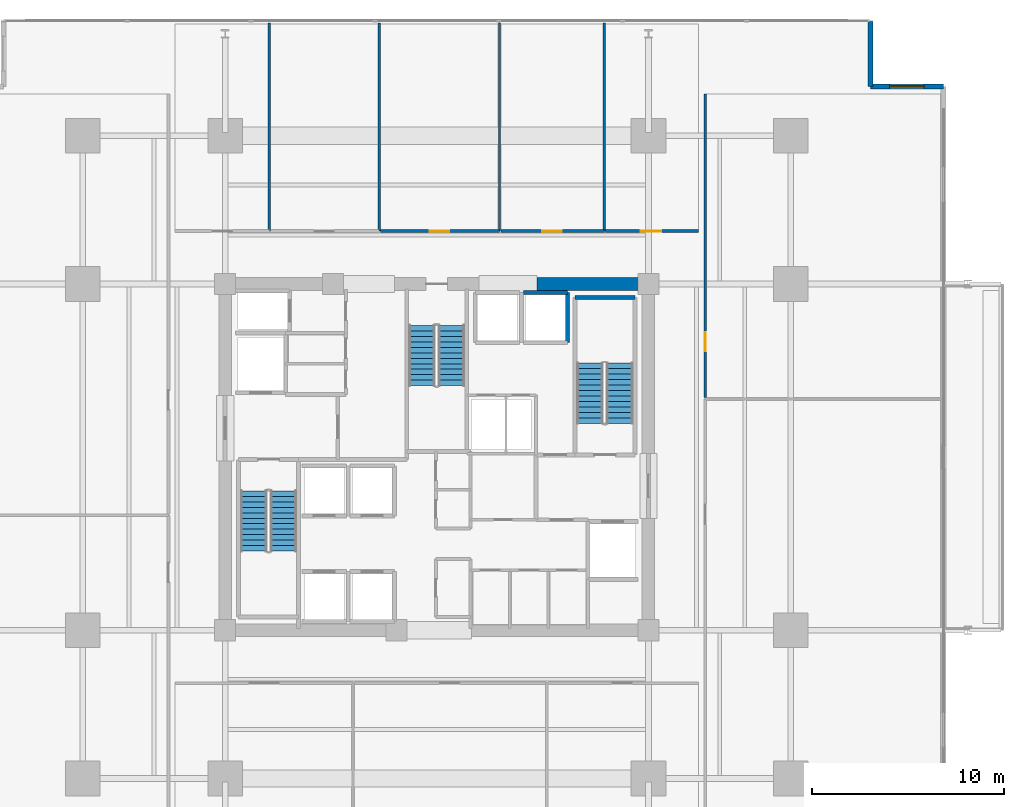
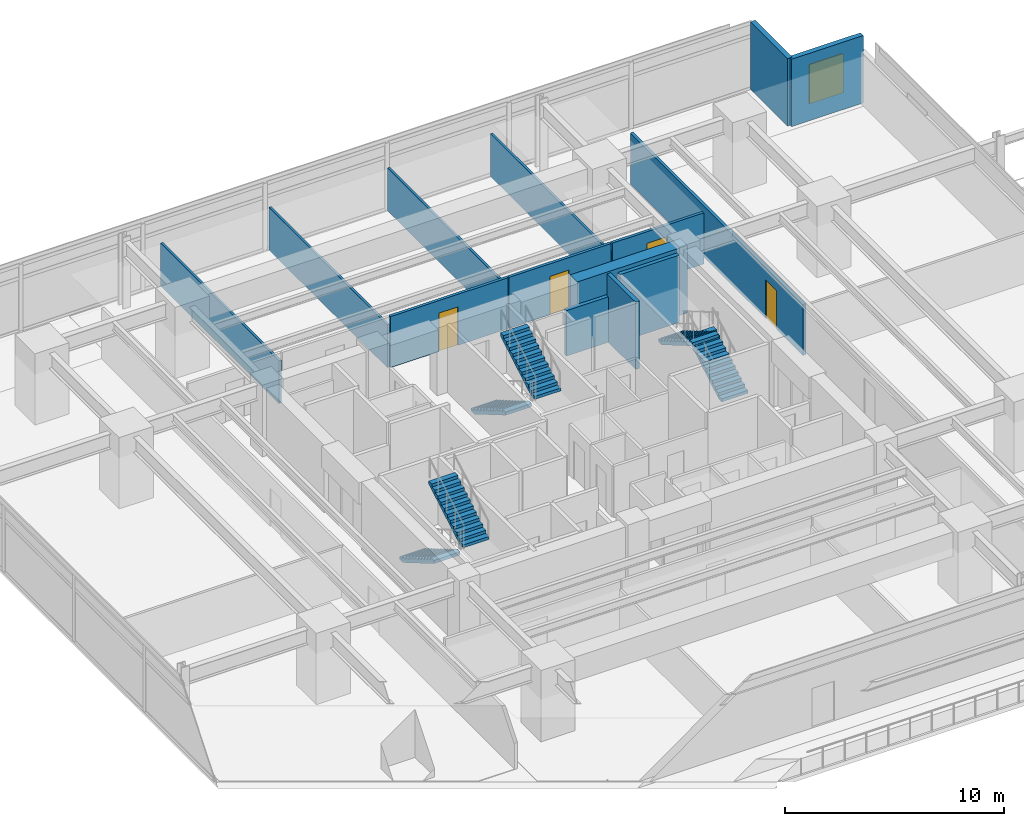
# One storey, part 16 of 21: 14 walls, 6 stair flights, 4 doors, 1 window, 5 openings, 3 elements without a shape of their own.
"""IFC4 building model written with IfcOpenShell, lengths in metres."""

import ifcopenshell
import ifcopenshell.guid

model = None  # the IFC model being written
_history = None  # IfcOwnerHistory: only IFC2X3 demands one
_inside = {}  # id of a spatial element -> (the spatial element, [elements in it])
_under = {}  # id of a project, library or spatial element -> (it, [spatial elements below it])
_declared = {}  # id of a project -> (the project, [libraries it declares])
_typed = {}  # id of a type object -> (the type object, [elements of that type])
_made_of = {}  # id of a material, layer set ... -> (it, [elements and type objects made of it])


def new_model(schema):
    """Start an empty IFC model of exactly this schema.

    Asked for "IFC4X3", IfcOpenShell would pick the latest addendum, in which some entities
    have other attributes; the version numbers below select the first issue.
    IFC2X3 requires an IfcOwnerHistory on every rooted entity: one is made here for all.
    """
    global model, _history
    if schema == "IFC4X3":
        model = ifcopenshell.file(schema_version=(4, 3, 0, 0))
    else:
        model = ifcopenshell.file(schema=schema)
    _inside.clear()
    _under.clear()
    _declared.clear()
    _typed.clear()
    _made_of.clear()
    _history = None
    if model.schema == "IFC2X3":
        org = make("IfcOrganization", Name="unknown")
        user = make(
            "IfcPersonAndOrganization",
            ThePerson=make("IfcPerson", FamilyName="unknown"),
            TheOrganization=org,
        )
        app = make(
            "IfcApplication",
            ApplicationDeveloper=org,
            Version="unknown",
            ApplicationFullName="unknown",
            ApplicationIdentifier="unknown",
        )
        _history = make(
            "IfcOwnerHistory",
            OwningUser=user,
            OwningApplication=app,
            ChangeAction="ADDED",
            CreationDate=0,
        )
    return model


def make(cls, **values):
    """One entity of the class cls with the attributes given. An attribute that is None is left unset."""
    return model.create_entity(
        cls, **{name: value for name, value in values.items() if value is not None}
    )


def rooted(cls, **values):
    """An entity with a GlobalId (a new one), such as an element, a storey or a relation."""
    return make(cls, GlobalId=ifcopenshell.guid.new(), OwnerHistory=_history, **values)


def si_unit(unit_type, name, prefix=None):
    """IfcSIUnit, for example si_unit("LENGTHUNIT", "METRE", prefix="MILLI")."""
    return make("IfcSIUnit", UnitType=unit_type, Prefix=prefix, Name=name)


def assignment(units):
    """IfcUnitAssignment: the units of a project."""
    return None if units is None else make("IfcUnitAssignment", Units=units)


def point(xyz):
    """IfcCartesianPoint."""
    return None if xyz is None else make("IfcCartesianPoint", Coordinates=xyz)


def direction(xyz):
    """IfcDirection."""
    return None if xyz is None else make("IfcDirection", DirectionRatios=xyz)


def frame(location, z_axis=None, x_axis=None):
    """IfcAxis2Placement3D, a coordinate frame: its origin and axes. An axis left out is left unset."""
    return make(
        "IfcAxis2Placement3D",
        Location=point(location),
        Axis=direction(z_axis),
        RefDirection=direction(x_axis),
    )


def frame_2d(location, x_axis=None):
    """IfcAxis2Placement2D, a coordinate frame in the plane: its origin and x axis."""
    return make(
        "IfcAxis2Placement2D", Location=point(location), RefDirection=direction(x_axis)
    )


def origin():
    """The frame at (0, 0, 0) with its axes left unset."""
    return frame((0.0, 0.0, 0.0))


def place(relative_to, where):
    """IfcLocalPlacement: puts the frame where relative to a parent placement (None: the world)."""
    return make(
        "IfcLocalPlacement", PlacementRelTo=relative_to, RelativePlacement=where
    )


def context(
    kind, dimensions, precision=None, world=None, true_north=None, identifier=None
):
    """IfcGeometricRepresentationContext, for example the 3D "Model" context."""
    return make(
        "IfcGeometricRepresentationContext",
        ContextIdentifier=identifier,
        ContextType=kind,
        CoordinateSpaceDimension=dimensions,
        Precision=precision,
        WorldCoordinateSystem=world,
        TrueNorth=true_north,
    )


def subcontext(parent, identifier, kind, view, scale=None):
    """IfcGeometricRepresentationSubContext, for example "Body" below "Model"."""
    return make(
        "IfcGeometricRepresentationSubContext",
        ContextIdentifier=identifier,
        ContextType=kind,
        ParentContext=parent,
        TargetScale=scale,
        TargetView=view,
    )


def project(units=None, contexts=None):
    """IfcProject with its units and contexts."""
    return rooted(
        "IfcProject",
        Name="project",
        RepresentationContexts=contexts,
        UnitsInContext=assignment(units),
    )


def spatial(cls, under=None, at=None, **own):
    """A site, building, storey or space (cls), placed at a placement, below another one or the project."""
    s = rooted(cls, ObjectPlacement=at, **own)
    if under is not None:
        _under.setdefault(under.id(), (under, []))[1].append(s)
    return s


def polyline(points):
    """IfcPolyline through the points."""
    return make("IfcPolyline", Points=[point(p) for p in points])


def profile(cls, at=None, kind="AREA", **sizes):
    """A parametric profile (cls). Its sizes go by their IFC names, for example OverallWidth=200.0."""
    return make(cls, ProfileType=kind, Position=at, **sizes)


def rectangle(**sizes):
    """IfcRectangleProfileDef."""
    return profile("IfcRectangleProfileDef", **sizes)


def outline(outer, holes=None, kind="AREA"):
    """IfcArbitraryClosedProfileDef: a profile drawn as a closed curve; with holes, ...WithVoids."""
    if holes is None:
        return make("IfcArbitraryClosedProfileDef", ProfileType=kind, OuterCurve=outer)
    return make(
        "IfcArbitraryProfileDefWithVoids",
        ProfileType=kind,
        OuterCurve=outer,
        InnerCurves=holes,
    )


def extrude(swept, where, along, depth):
    """IfcExtrudedAreaSolid: the profile swept, set in the frame where, extruded along a direction by depth."""
    return make(
        "IfcExtrudedAreaSolid",
        SweptArea=swept,
        Position=where,
        ExtrudedDirection=direction(along),
        Depth=depth,
    )


def shape(context_of_items, identifier, shape_type, items):
    """IfcShapeRepresentation: the items that make up one representation, for example the "Body"."""
    return make(
        "IfcShapeRepresentation",
        ContextOfItems=context_of_items,
        RepresentationIdentifier=identifier,
        RepresentationType=shape_type,
        Items=items,
    )


def material(Name=None, Category=None):
    """IfcMaterial."""
    return make("IfcMaterial", Name=Name, Category=Category)


def layer(
    of_material, thickness, ventilated=None, Name=None, Category=None, Priority=None
):
    """IfcMaterialLayer: one layer of a wall or slab, of a material (None: an air gap)."""
    return make(
        "IfcMaterialLayer",
        Material=of_material,
        LayerThickness=thickness,
        IsVentilated=ventilated,
        Name=Name,
        Category=Category,
        Priority=Priority,
    )


def layer_set(layers, Name=None):
    """IfcMaterialLayerSet."""
    return make("IfcMaterialLayerSet", MaterialLayers=layers, LayerSetName=Name)


def made_of(thing, what):
    """Note that an element or type object is made of a material, layer set ...; save() writes the relation."""
    if what is not None:
        _made_of.setdefault(what.id(), (what, []))[1].append(thing)
    return thing


def type_object(cls, material=None, **own):
    """A type object (cls), such as IfcWallType, which elements share."""
    return made_of(rooted(cls, **own), material)


def element(
    cls,
    number,
    at=None,
    inside=None,
    cuts=None,
    type_object=None,
    material=None,
    context=None,
    identifier="Body",
    shape_type=None,
    held_by="IfcProductDefinitionShape",
    body=None,
    shapes=None,
    **own,
):
    """One element of the class cls, such as IfcWall. Its Tag is "e" and its number.

    at: its placement. inside: the storey or other place that contains it. cuts: it is an
    opening in that element (IfcRelVoidsElement). A single representation is given by context,
    identifier, shape_type and body (its items); several are given by shapes. held_by: the class
    of the entity that holds the representations. save() writes the other relations.
    """
    e = rooted(cls, Tag="e%d" % number, ObjectPlacement=at, **own)
    if body is not None:
        shapes = [shape(context, identifier, shape_type, body)]
    if shapes is not None:
        e.Representation = make(held_by, Representations=shapes)
    if inside is not None:
        _inside.setdefault(inside.id(), (inside, []))[1].append(e)
    if cuts is not None:
        rooted(
            "IfcRelVoidsElement", RelatingBuildingElement=cuts, RelatedOpeningElement=e
        )
    if type_object is not None:
        _typed.setdefault(type_object.id(), (type_object, []))[1].append(e)
    return made_of(e, material)


def fill(opening, filler):
    """IfcRelFillsElement: the door or window that sits in an opening."""
    return rooted(
        "IfcRelFillsElement",
        RelatingOpeningElement=opening,
        RelatedBuildingElement=filler,
    )


def aggregate(whole, parts):
    """IfcRelAggregates: a whole, such as a stair, and the parts it consists of."""
    return rooted("IfcRelAggregates", RelatingObject=whole, RelatedObjects=parts)


def save(model, path):
    """Write the relations noted so far, then the file.

    IfcRelAggregates (storeys below a building ...), IfcRelContainedInSpatialStructure (elements
    in a storey), IfcRelDefinesByType, IfcRelAssociatesMaterial and IfcRelDeclares: one each for
    every whole, place, type object, material and project.
    """
    for whole, parts in _under.values():
        aggregate(whole, parts)
    for where, things in _inside.values():
        rooted(
            "IfcRelContainedInSpatialStructure",
            RelatedElements=things,
            RelatingStructure=where,
        )
    for kind, things in _typed.values():
        rooted("IfcRelDefinesByType", RelatedObjects=things, RelatingType=kind)
    for what, things in _made_of.values():
        rooted("IfcRelAssociatesMaterial", RelatedObjects=things, RelatingMaterial=what)
    for by, libraries in _declared.values():
        rooted("IfcRelDeclares", RelatingContext=by, RelatedDefinitions=libraries)
    model.write(path)


model = new_model("IFC4")

# Units and contexts
model_context = context("Model", 3, precision=1e-05, world=origin(), true_north=direction((0.0, 1.0)))
body_context = subcontext(model_context, "Body", "Model", "MODEL_VIEW")
ifc_project = project(units=[si_unit("LENGTHUNIT", "METRE"), si_unit("AREAUNIT", "SQUARE_METRE"), si_unit("VOLUMEUNIT", "CUBIC_METRE"), si_unit("PLANEANGLEUNIT", "RADIAN"), si_unit("MASSUNIT", "GRAM", prefix="KILO")], contexts=[model_context])

# Site, building, storey
site_placement = place(None, origin())
site = spatial("IfcSite", under=ifc_project, at=site_placement, CompositionType="ELEMENT")
building_placement = place(site_placement, origin())
building = spatial("IfcBuilding", under=site, at=building_placement, Name="Kovane Verandah Tower", CompositionType="ELEMENT")
storey_placement = place(building_placement, frame((0.0, 0.0, 87.60009765625)))
storey = spatial("IfcBuildingStorey", under=building, at=storey_placement, Name="L20", CompositionType="ELEMENT", Elevation=87.60009765625)

# Wall, opening, door
ifc_material_1 = material(Name="Fire-Rated Gypsum Stud Partition", Category="gypsum")
ifc_layer_1 = layer(ifc_material_1, 0.14990234375)
ifc_layer_set_1 = layer_set([ifc_layer_1], Name="Fire-Rated Gypsum Stud Partition")
wall_type_1 = type_object("IfcWallType", Name="WL-COR-150", PredefinedType="PARTITIONING", material=ifc_layer_set_1)
wall_1_placement = place(storey_placement, frame((37.077880859375, 39.25, 0.0), z_axis=(0.0, 0.0, 1.0), x_axis=(1.0, 0.0, 0.0)))
wall_1 = element("IfcWall", 1, at=wall_1_placement, inside=storey, type_object=wall_type_1, Name="L20 Document and Print Room N3 Corridor Partition", PredefinedType="PARTITIONING", context=body_context, shape_type="SweptSolid", body=[
    extrude(rectangle(XDim=6.18603515625, YDim=0.14990234375, at=frame_2d((3.093017578125, 0.0))), origin(), (0.0, 0.0, 1.0), 2.849853515625),
])
opening_1_placement = place(wall_1_placement, frame((2.55810546875, 0.0, 0.0)))
opening_1 = element("IfcOpeningElement", 2, at=opening_1_placement, cuts=wall_1, Name="Opening DR-L20-023", PredefinedType="OPENING", context=body_context, shape_type="SweptSolid", body=[
    extrude(rectangle(XDim=1.0, YDim=2.14990234375, at=frame_2d((0.5, 1.074951171875))), frame((0.0, 0.074951171875, 0.0), z_axis=(0.0, -1.0, 0.0), x_axis=(1.0, 0.0, 0.0)), (0.0, 0.0, 1.0), 0.14990234375),
])
ifc_material_2 = material(Name="FSC Spotted-Gum Timber Fire-Rated Office Door", Category="wood")
door_type_1 = type_object("IfcDoorType", Name="DR-OFF-1000", OperationType="SINGLE_SWING_LEFT", PredefinedType="DOOR", material=ifc_material_2)
door_1_placement = place(opening_1_placement, origin())
door_1 = element("IfcDoor", 3, at=door_1_placement, inside=storey, type_object=door_type_1, Name="L20 Document and Print Room N3 Entrance Door", OperationType="SINGLE_SWING_RIGHT", OverallHeight=2.14990234375, OverallWidth=1.0, PredefinedType="DOOR", context=body_context, shape_type="SweptSolid", body=[
    extrude(rectangle(XDim=1.0, YDim=2.14990234375, at=frame_2d((0.5, 1.074951171875))), frame((0.0, 0.02490234375, 0.0), z_axis=(0.0, -1.0, 0.0), x_axis=(1.0, 0.0, 0.0)), (0.0, 0.0, 1.0), 0.050048828125),
])
fill(opening_1, door_1)

wall_2_placement = place(storey_placement, frame((43.333984375, 39.25, 0.0), z_axis=(0.0, 0.0, 1.0), x_axis=(1.0, 0.0, 0.0)))
wall_2 = element("IfcWall", 4, at=wall_2_placement, inside=storey, type_object=wall_type_1, Name="L20 Open Plan Office N4 Corridor Partition", PredefinedType="PARTITIONING", context=body_context, shape_type="SweptSolid", body=[
    extrude(rectangle(XDim=5.3701171875, YDim=0.14990234375, at=frame_2d((2.68505859375, 0.0))), origin(), (0.0, 0.0, 1.0), 2.849853515625),
])
opening_2_placement = place(wall_2_placement, frame((2.14990234375, 0.0, 0.0)))
opening_2 = element("IfcOpeningElement", 5, at=opening_2_placement, cuts=wall_2, Name="Opening DR-L20-024", PredefinedType="OPENING", context=body_context, shape_type="SweptSolid", body=[
    extrude(rectangle(XDim=1.0, YDim=2.14990234375, at=frame_2d((0.5, 1.074951171875))), frame((0.0, 0.074951171875, 0.0), z_axis=(0.0, -1.0, 0.0), x_axis=(1.0, 0.0, 0.0)), (0.0, 0.0, 1.0), 0.14990234375),
])
door_2_placement = place(opening_2_placement, origin())
door_2 = element("IfcDoor", 6, at=door_2_placement, inside=storey, type_object=door_type_1, Name="L20 Open Plan Office N4 Entrance Door", OperationType="SINGLE_SWING_LEFT", OverallHeight=2.14990234375, OverallWidth=1.0, PredefinedType="DOOR", context=body_context, shape_type="SweptSolid", body=[
    extrude(rectangle(XDim=1.0, YDim=2.14990234375, at=frame_2d((0.5, 1.074951171875))), frame((0.0, 0.02490234375, 0.0), z_axis=(0.0, -1.0, 0.0), x_axis=(1.0, 0.0, 0.0)), (0.0, 0.0, 1.0), 0.050048828125),
])
fill(opening_2, door_2)

wall_3_placement = place(storey_placement, frame((48.77392578125, 39.25, 0.0), z_axis=(0.0, 0.0, 1.0), x_axis=(1.0, 0.0, 0.0)))
wall_3 = element("IfcWall", 7, at=wall_3_placement, inside=storey, type_object=wall_type_1, Name="L20 Executive Office N5 Corridor Partition", PredefinedType="PARTITIONING", context=body_context, shape_type="SweptSolid", body=[
    extrude(rectangle(XDim=4.826171875, YDim=0.14990234375, at=frame_2d((2.4130859375, 0.0))), origin(), (0.0, 0.0, 1.0), 2.849853515625),
])
opening_3_placement = place(wall_3_placement, frame((1.837890625, 0.0, 0.0)))
opening_3 = element("IfcOpeningElement", 8, at=opening_3_placement, cuts=wall_3, Name="Opening DR-L20-025", PredefinedType="OPENING", context=body_context, shape_type="SweptSolid", body=[
    extrude(rectangle(XDim=1.050048828125, YDim=2.199951171875, at=frame_2d((0.52490234375, 1.10009765625))), frame((0.0, 0.074951171875, 0.0), z_axis=(0.0, -1.0, 0.0), x_axis=(1.0, 0.0, 0.0)), (0.0, 0.0, 1.0), 0.14990234375),
])
ifc_material_3 = material(Name="FSC Blackbutt Timber Fire-Rated Executive Door", Category="wood")
door_type_2 = type_object("IfcDoorType", Name="DR-EXEC-1050", OperationType="SINGLE_SWING_LEFT", PredefinedType="DOOR", material=ifc_material_3)
door_3_placement = place(opening_3_placement, origin())
door_3 = element("IfcDoor", 9, at=door_3_placement, inside=storey, type_object=door_type_2, Name="L20 Executive Office N5 Entrance Door", OperationType="SINGLE_SWING_RIGHT", OverallHeight=2.199951171875, OverallWidth=1.050048828125, PredefinedType="DOOR", context=body_context, shape_type="SweptSolid", body=[
    extrude(rectangle(XDim=1.050048828125, YDim=2.199951171875, at=frame_2d((0.52490234375, 1.10009765625))), frame((0.0, 0.02490234375, 0.0), z_axis=(0.0, -1.0, 0.0), x_axis=(1.0, 0.0, 0.0)), (0.0, 0.0, 1.0), 0.050048828125),
])
fill(opening_3, door_3)

wall_4_placement = place(storey_placement, frame((53.949951171875, 30.58935546875, 0.0), z_axis=(0.0, 0.0, 1.0), x_axis=(0.0, 1.0, 0.0)))
wall_4 = element("IfcWall", 10, at=wall_4_placement, inside=storey, type_object=wall_type_1, Name="L20 Open Plan Office E2 Corridor Partition", PredefinedType="PARTITIONING", context=body_context, shape_type="SweptSolid", body=[
    extrude(rectangle(XDim=15.781494140625, YDim=0.14990234375, at=frame_2d((7.890625, 0.0))), origin(), (0.0, 0.0, 1.0), 2.849853515625),
])
opening_4_placement = place(wall_4_placement, frame((2.4052734375, 0.0, 0.0)))
opening_4 = element("IfcOpeningElement", 11, at=opening_4_placement, cuts=wall_4, Name="Opening DR-L20-014", PredefinedType="OPENING", context=body_context, shape_type="SweptSolid", body=[
    extrude(rectangle(XDim=1.0, YDim=2.14990234375, at=frame_2d((0.5, 1.074951171875))), frame((0.0, 0.074951171875, 0.0), z_axis=(0.0, -1.0, 0.0), x_axis=(1.0, 0.0, 0.0)), (0.0, 0.0, 1.0), 0.14990234375),
])
door_4_placement = place(opening_4_placement, origin())
door_4 = element("IfcDoor", 12, at=door_4_placement, inside=storey, type_object=door_type_1, Name="L20 Open Plan Office E2 Entrance Door", OperationType="SINGLE_SWING_LEFT", OverallHeight=2.14990234375, OverallWidth=1.0, PredefinedType="DOOR", context=body_context, shape_type="SweptSolid", body=[
    extrude(rectangle(XDim=1.0, YDim=2.14990234375, at=frame_2d((0.5, 1.074951171875))), frame((0.0, 0.02490234375, 0.0), z_axis=(0.0, -1.0, 0.0), x_axis=(1.0, 0.0, 0.0)), (0.0, 0.0, 1.0), 0.050048828125),
])
fill(opening_4, door_4)

# Walls
ifc_material_4 = material(Name="Concrete C80/95", Category="concrete")
ifc_layer_2 = layer(ifc_material_4, 0.64990234375)
ifc_layer_set_2 = layer_set([ifc_layer_2], Name="Concrete C80/95")
wall_type_2 = type_object("IfcWallType", Name="WL-CORE-650", PredefinedType="SHEAR", material=ifc_layer_set_2)
wall_5_placement = place(storey_placement, frame((45.199951171875, 36.5, 0.0), z_axis=(0.0, 0.0, 1.0), x_axis=(1.0, 0.0, 0.0)))
element("IfcWall", 13, at=wall_5_placement, inside=storey, type_object=wall_type_2, Name="L20 Core Shear Wall CN-3", PredefinedType="SHEAR", context=body_context, shape_type="SweptSolid", body=[
    extrude(rectangle(XDim=5.800048828125, YDim=0.64990234375, at=frame_2d((2.89990234375, 0.0))), origin(), (0.0, 0.0, 1.0), 3.760009765625),
])
ifc_material_5 = material(Name="Concrete C45/55 Lift Shaft Wall", Category="concrete")
ifc_layer_3 = layer(ifc_material_5, 0.199951171875)
ifc_layer_set_3 = layer_set([ifc_layer_3], Name="Concrete C45/55 Lift Shaft Wall")
wall_type_3 = type_object("IfcWallType", Name="WL-LIFT-200", PredefinedType="SOLIDWALL", material=ifc_layer_set_3)
wall_6_placement = place(storey_placement, frame((46.800048828125, 36.050048828125, 0.0), z_axis=(0.0, 0.0, 1.0), x_axis=(-1.0, 0.0, 0.0)))
element("IfcWall", 14, at=wall_6_placement, inside=storey, type_object=wall_type_3, Name="L20 Lift OL-01 N Shaft Wall", PredefinedType="SOLIDWALL", context=body_context, shape_type="SweptSolid", body=[
    extrude(rectangle(XDim=2.300048828125, YDim=0.199951171875, at=frame_2d((1.14990234375, 0.0))), origin(), (0.0, 0.0, 1.0), 2.539794921875),
])
wall_7_placement = place(storey_placement, frame((46.800048828125, 33.449951171875, 0.0), z_axis=(0.0, 0.0, 1.0), x_axis=(0.0, 1.0, 0.0)))
element("IfcWall", 15, at=wall_7_placement, inside=storey, type_object=wall_type_3, Name="L20 Lift OL-01 E Shaft Wall", PredefinedType="SOLIDWALL", context=body_context, shape_type="SweptSolid", body=[
    extrude(rectangle(XDim=2.60009765625, YDim=0.199951171875, at=frame_2d((1.300048828125, 0.0))), origin(), (0.0, 0.0, 1.0), 3.760009765625),
])
ifc_material_6 = material(Name="Acoustic Fire-Rated Gypsum Partition", Category="gypsum")
ifc_layer_4 = layer(ifc_material_6, 0.1201171875)
ifc_layer_set_4 = layer_set([ifc_layer_4], Name="Acoustic Fire-Rated Gypsum Partition")
wall_type_4 = type_object("IfcWallType", Name="WL-PART-120", PredefinedType="PARTITIONING", material=ifc_layer_set_4)
for number, where, z_axis, x_axis, name in (
    (16, (31.2958984375, 39.25, 0.0), (0.0, 0.0, 1.0), (0.0, 1.0, 0.0), "L20 Breakout Pantry N1 Dividing Partition"),
    (17, (37.008056640625, 39.25, 0.0), (0.0, 0.0, 1.0), (0.0, 1.0, 0.0), "L20 Collaboration Hub N2 Dividing Partition"),
    (18, (43.263916015625, 39.25, 0.0), (0.0, 0.0, 1.0), (0.0, 1.0, 0.0), "L20 Document and Print Room N3 Dividing Partition"),
    (19, (48.7041015625, 39.25, 0.0), (0.0, 0.0, 1.0), (0.0, 1.0, 0.0), "L20 Open Plan Office N4 Dividing Partition"),
):
    element("IfcWall", number, at=place(storey_placement, frame(where, z_axis=z_axis, x_axis=x_axis)), inside=storey, type_object=wall_type_4, Name=name, PredefinedType="PARTITIONING", context=body_context, shape_type="SweptSolid", body=[
        extrude(rectangle(XDim=10.82080078125, YDim=0.1201171875, at=frame_2d((5.410400390625, 0.0))), origin(), (0.0, 0.0, 1.0), 2.389892578125),
    ])
ifc_material_7 = material(Name="Concrete C45/55", Category="concrete")
ifc_layer_5 = layer(ifc_material_7, 0.199951171875)
ifc_layer_set_5 = layer_set([ifc_layer_5], Name="Concrete C45/55")
wall_type_5 = type_object("IfcWallType", Name="WL-SHAFT-200", PredefinedType="SOLIDWALL", material=ifc_layer_set_5)
wall_8_placement = place(storey_placement, frame((47.179931640625, 35.800048828125, 0.0), z_axis=(0.0, 0.0, 1.0), x_axis=(1.0, 0.0, 0.0)))
element("IfcWall", 20, at=wall_8_placement, inside=storey, type_object=wall_type_5, Name="W-L20-ST02-N", PredefinedType="SOLIDWALL", context=body_context, shape_type="SweptSolid", body=[
    extrude(rectangle(XDim=3.1201171875, YDim=0.199951171875, at=frame_2d((1.56005859375, 0.0))), origin(), (0.0, 0.0, 1.0), 3.760009765625),
])

# Wall, opening, window
ifc_material_8 = material(Name="Concrete C45/55 Insulated Spandrel Wall", Category="concrete")
ifc_layer_6 = layer(ifc_material_8, 0.260009765625)
ifc_layer_set_6 = layer_set([ifc_layer_6], Name="Concrete C45/55 Insulated Spandrel Wall")
wall_type_6 = type_object("IfcWallType", Name="WL-SPANDREL-260", PredefinedType="PARAPET", material=ifc_layer_set_6)
wall_9_placement = place(storey_placement, frame((66.329833984375, 46.77099609375, 0.0), z_axis=(0.0, 0.0, 1.0), x_axis=(-1.0, 0.0, 0.0)))
wall_9 = element("IfcWall", 21, at=wall_9_placement, inside=storey, type_object=wall_type_6, Name="L20 NE Notch Cheek Wall 1", PredefinedType="PARAPET", context=body_context, shape_type="SweptSolid", body=[
    extrude(rectangle(XDim=3.800048828125, YDim=0.260009765625, at=frame_2d((1.89990234375, 0.0))), origin(), (0.0, 0.0, 1.0), 3.760009765625),
])
opening_5_placement = place(wall_9_placement, frame((1.0, 0.0, 0.85009765625)))
opening_5 = element("IfcOpeningElement", 22, at=opening_5_placement, cuts=wall_9, Name="Opening W-03", PredefinedType="OPENING", context=body_context, shape_type="SweptSolid", body=[
    extrude(rectangle(XDim=1.800048828125, YDim=2.199951171875, at=frame_2d((0.89990234375, 1.10009765625))), frame((0.0, 0.1298828125, 0.0), z_axis=(0.0, -1.0, 0.0), x_axis=(1.0, 0.0, 0.0)), (0.0, 0.0, 1.0), 0.260009765625),
])
ifc_material_9 = material(Name="Clear Low-E Laminated Double Glazing in Anodised Frame", Category="glass")
window_type = type_object("IfcWindowType", Name="WN-NOTCH-1800x2200", PartitioningType="SINGLE_PANEL", PredefinedType="WINDOW", material=ifc_material_9)
window_placement = place(opening_5_placement, origin())
window = element("IfcWindow", 23, at=window_placement, inside=storey, type_object=window_type, Name="L20 NE Re-Entrant Corner Operable Window", OverallHeight=2.199951171875, OverallWidth=1.800048828125, PartitioningType="SINGLE_PANEL", PredefinedType="WINDOW", context=body_context, shape_type="SweptSolid", body=[
    extrude(rectangle(XDim=1.800048828125, YDim=2.199951171875, at=frame_2d((0.89990234375, 1.10009765625))), frame((0.0, 0.030029296875, 0.0), z_axis=(0.0, -1.0, 0.0), x_axis=(1.0, 0.0, 0.0)), (0.0, 0.0, 1.0), 0.06005859375),
])
fill(opening_5, window)

# Wall
wall_10_placement = place(storey_placement, frame((62.52978515625, 46.77099609375, 0.0), z_axis=(0.0, 0.0, 1.0), x_axis=(0.0, 1.0, 0.0)))
element("IfcWall", 24, at=wall_10_placement, inside=storey, type_object=wall_type_6, Name="L20 NE Notch Cheek Wall 2", PredefinedType="PARAPET", context=body_context, shape_type="SweptSolid", body=[
    extrude(rectangle(XDim=3.39990234375, YDim=0.260009765625, at=frame_2d((1.699951171875, 0.0))), origin(), (0.0, 0.0, 1.0), 3.760009765625),
])

# Stair, stair flights
stair_type = type_object("IfcStairType", Name="ST-CORE-1380", PredefinedType="HALF_TURN_STAIR", material=ifc_material_7)
stair_1_placement = place(storey_placement, origin())
stair_1 = element("IfcStair", 25, at=stair_1_placement, inside=storey, type_object=stair_type, Name="L20 Exit Stair ST-01", PredefinedType="HALF_TURN_STAIR")
stair_flight_type = type_object("IfcStairFlightType", Name="STF-CORE-1380", PredefinedType="STRAIGHT", material=ifc_material_7)
stair_flight_1_placement = place(storey_placement, frame((30.489990234375, 25.75, 0.0), z_axis=(0.0, 0.0, 1.0), x_axis=(0.0, -1.0, 0.0)))
stair_flight_1 = element("IfcStairFlight", 26, at=stair_flight_1_placement, type_object=stair_flight_type, Name="ST-01 flight 1", NumberOfRisers=12, NumberOfTreads=11, PredefinedType="STRAIGHT", RiserHeight=0.166666667, TreadLength=0.285, context=body_context, shape_type="SweptSolid", body=[
    extrude(outline(polyline([(0.0, 0.0), (0.0, 0.166748046875), (0.284912109375, 0.166748046875), (0.284912109375, 0.333251953125), (0.570068359375, 0.333251953125), (0.570068359375, 0.5), (0.85498046875, 0.5), (0.85498046875, 0.666748046875), (1.139892578125, 0.666748046875), (1.139892578125, 0.833251953125), (1.425048828125, 0.833251953125), (1.425048828125, 1.0), (1.7099609375, 1.0), (1.7099609375, 1.166748046875), (1.9951171875, 1.166748046875), (1.9951171875, 1.333251953125), (2.280029296875, 1.333251953125), (2.280029296875, 1.5), (2.56494140625, 1.5), (2.56494140625, 1.666748046875), (2.85009765625, 1.666748046875), (2.85009765625, 1.833251953125), (3.135009765625, 1.833251953125), (3.135009765625, 2.0), (3.135009765625, 1.65966796875), (0.296875, 0.0), (0.0, 0.0)])), frame((0.0, 0.68994140625, 0.0), z_axis=(0.0, -1.0, 0.0), x_axis=(1.0, 0.0, 0.0)), (0.0, 0.0, 1.0), 1.3798828125),
])
stair_flight_2_placement = place(storey_placement, frame((32.030029296875, 22.614990234375, 2.0), z_axis=(0.0, 0.0, 1.0), x_axis=(0.0, 1.0, 0.0)))
stair_flight_2 = element("IfcStairFlight", 27, at=stair_flight_2_placement, type_object=stair_flight_type, Name="ST-01 flight 2", NumberOfRisers=12, NumberOfTreads=11, PredefinedType="STRAIGHT", RiserHeight=0.166666667, TreadLength=0.285, context=body_context, shape_type="SweptSolid", body=[
    extrude(outline(polyline([(0.0, 0.0), (0.0, 0.166748046875), (0.284912109375, 0.166748046875), (0.284912109375, 0.333251953125), (0.570068359375, 0.333251953125), (0.570068359375, 0.5), (0.85498046875, 0.5), (0.85498046875, 0.666748046875), (1.139892578125, 0.666748046875), (1.139892578125, 0.833251953125), (1.425048828125, 0.833251953125), (1.425048828125, 1.0), (1.7099609375, 1.0), (1.7099609375, 1.166748046875), (1.9951171875, 1.166748046875), (1.9951171875, 1.333251953125), (2.280029296875, 1.333251953125), (2.280029296875, 1.5), (2.56494140625, 1.5), (2.56494140625, 1.666748046875), (2.85009765625, 1.666748046875), (2.85009765625, 1.833251953125), (3.135009765625, 1.833251953125), (3.135009765625, 2.0), (3.135009765625, 1.65966796875), (0.296875, 0.0), (0.0, 0.0)])), frame((0.0, 0.68994140625, 0.0), z_axis=(0.0, -1.0, 0.0), x_axis=(1.0, 0.0, 0.0)), (0.0, 0.0, 1.0), 1.3798828125),
])
aggregate(stair_1, [stair_flight_1, stair_flight_2])

stair_2_placement = place(storey_placement, origin())
stair_2 = element("IfcStair", 28, at=stair_2_placement, inside=storey, type_object=stair_type, Name="L20 Exit Stair ST-02", PredefinedType="HALF_TURN_STAIR")
stair_flight_3_placement = place(storey_placement, frame((49.510009765625, 29.25, 0.0), z_axis=(0.0, 0.0, 1.0), x_axis=(0.0, 1.0, 0.0)))
stair_flight_3 = element("IfcStairFlight", 29, at=stair_flight_3_placement, type_object=stair_flight_type, Name="ST-02 flight 1", NumberOfRisers=12, NumberOfTreads=11, PredefinedType="STRAIGHT", RiserHeight=0.166666667, TreadLength=0.285, context=body_context, shape_type="SweptSolid", body=[
    extrude(outline(polyline([(0.0, 0.0), (0.0, 0.166748046875), (0.284912109375, 0.166748046875), (0.284912109375, 0.333251953125), (0.570068359375, 0.333251953125), (0.570068359375, 0.5), (0.85498046875, 0.5), (0.85498046875, 0.666748046875), (1.139892578125, 0.666748046875), (1.139892578125, 0.833251953125), (1.425048828125, 0.833251953125), (1.425048828125, 1.0), (1.7099609375, 1.0), (1.7099609375, 1.166748046875), (1.9951171875, 1.166748046875), (1.9951171875, 1.333251953125), (2.280029296875, 1.333251953125), (2.280029296875, 1.5), (2.56494140625, 1.5), (2.56494140625, 1.666748046875), (2.85009765625, 1.666748046875), (2.85009765625, 1.833251953125), (3.135009765625, 1.833251953125), (3.135009765625, 2.0), (3.135009765625, 1.65966796875), (0.296875, 0.0), (0.0, 0.0)])), frame((0.0, 0.68994140625, 0.0), z_axis=(0.0, -1.0, 0.0), x_axis=(1.0, 0.0, 0.0)), (0.0, 0.0, 1.0), 1.3798828125),
])
stair_flight_4_placement = place(storey_placement, frame((47.969970703125, 32.385009765625, 2.0), z_axis=(0.0, 0.0, 1.0), x_axis=(0.0, -1.0, 0.0)))
stair_flight_4 = element("IfcStairFlight", 30, at=stair_flight_4_placement, type_object=stair_flight_type, Name="ST-02 flight 2", NumberOfRisers=12, NumberOfTreads=11, PredefinedType="STRAIGHT", RiserHeight=0.166666667, TreadLength=0.285, context=body_context, shape_type="SweptSolid", body=[
    extrude(outline(polyline([(0.0, 0.0), (0.0, 0.166748046875), (0.284912109375, 0.166748046875), (0.284912109375, 0.333251953125), (0.570068359375, 0.333251953125), (0.570068359375, 0.5), (0.85498046875, 0.5), (0.85498046875, 0.666748046875), (1.139892578125, 0.666748046875), (1.139892578125, 0.833251953125), (1.425048828125, 0.833251953125), (1.425048828125, 1.0), (1.7099609375, 1.0), (1.7099609375, 1.166748046875), (1.9951171875, 1.166748046875), (1.9951171875, 1.333251953125), (2.280029296875, 1.333251953125), (2.280029296875, 1.5), (2.56494140625, 1.5), (2.56494140625, 1.666748046875), (2.85009765625, 1.666748046875), (2.85009765625, 1.833251953125), (3.135009765625, 1.833251953125), (3.135009765625, 2.0), (3.135009765625, 1.65966796875), (0.296875, 0.0), (0.0, 0.0)])), frame((0.0, 0.68994140625, 0.0), z_axis=(0.0, -1.0, 0.0), x_axis=(1.0, 0.0, 0.0)), (0.0, 0.0, 1.0), 1.3798828125),
])
aggregate(stair_2, [stair_flight_3, stair_flight_4])

stair_3_placement = place(storey_placement, origin())
stair_3 = element("IfcStair", 31, at=stair_3_placement, inside=storey, type_object=stair_type, Name="L20 Exit Stair ST-03", PredefinedType="HALF_TURN_STAIR")
stair_flight_5_placement = place(storey_placement, frame((39.22998046875, 34.35009765625, 0.0), z_axis=(0.0, 0.0, 1.0), x_axis=(0.0, -1.0, 0.0)))
stair_flight_5 = element("IfcStairFlight", 32, at=stair_flight_5_placement, type_object=stair_flight_type, Name="ST-03 flight 1", NumberOfRisers=12, NumberOfTreads=11, PredefinedType="STRAIGHT", RiserHeight=0.166666667, TreadLength=0.285, context=body_context, shape_type="SweptSolid", body=[
    extrude(outline(polyline([(0.0, 0.0), (0.0, 0.166748046875), (0.284912109375, 0.166748046875), (0.284912109375, 0.333251953125), (0.570068359375, 0.333251953125), (0.570068359375, 0.5), (0.85498046875, 0.5), (0.85498046875, 0.666748046875), (1.139892578125, 0.666748046875), (1.139892578125, 0.833251953125), (1.425048828125, 0.833251953125), (1.425048828125, 1.0), (1.7099609375, 1.0), (1.7099609375, 1.166748046875), (1.9951171875, 1.166748046875), (1.9951171875, 1.333251953125), (2.280029296875, 1.333251953125), (2.280029296875, 1.5), (2.56494140625, 1.5), (2.56494140625, 1.666748046875), (2.85009765625, 1.666748046875), (2.85009765625, 1.833251953125), (3.135009765625, 1.833251953125), (3.135009765625, 2.0), (3.135009765625, 1.65966796875), (0.296875, 0.0), (0.0, 0.0)])), frame((0.0, 0.68994140625, 0.0), z_axis=(0.0, -1.0, 0.0), x_axis=(1.0, 0.0, 0.0)), (0.0, 0.0, 1.0), 1.3798828125),
])
stair_flight_6_placement = place(storey_placement, frame((40.77001953125, 31.215087890625, 2.0), z_axis=(0.0, 0.0, 1.0), x_axis=(0.0, 1.0, 0.0)))
stair_flight_6 = element("IfcStairFlight", 33, at=stair_flight_6_placement, type_object=stair_flight_type, Name="ST-03 flight 2", NumberOfRisers=12, NumberOfTreads=11, PredefinedType="STRAIGHT", RiserHeight=0.166666667, TreadLength=0.285, context=body_context, shape_type="SweptSolid", body=[
    extrude(outline(polyline([(0.0, 0.0), (0.0, 0.166748046875), (0.284912109375, 0.166748046875), (0.284912109375, 0.333251953125), (0.570068359375, 0.333251953125), (0.570068359375, 0.5), (0.85498046875, 0.5), (0.85498046875, 0.666748046875), (1.139892578125, 0.666748046875), (1.139892578125, 0.833251953125), (1.425048828125, 0.833251953125), (1.425048828125, 1.0), (1.7099609375, 1.0), (1.7099609375, 1.166748046875), (1.9951171875, 1.166748046875), (1.9951171875, 1.333251953125), (2.280029296875, 1.333251953125), (2.280029296875, 1.5), (2.56494140625, 1.5), (2.56494140625, 1.666748046875), (2.85009765625, 1.666748046875), (2.85009765625, 1.833251953125), (3.135009765625, 1.833251953125), (3.135009765625, 2.0), (3.135009765625, 1.65966796875), (0.296875, 0.0), (0.0, 0.0)])), frame((0.0, 0.68994140625, 0.0), z_axis=(0.0, -1.0, 0.0), x_axis=(1.0, 0.0, 0.0)), (0.0, 0.0, 1.0), 1.3798828125),
])
aggregate(stair_3, [stair_flight_5, stair_flight_6])

save(model, "model.ifc")
